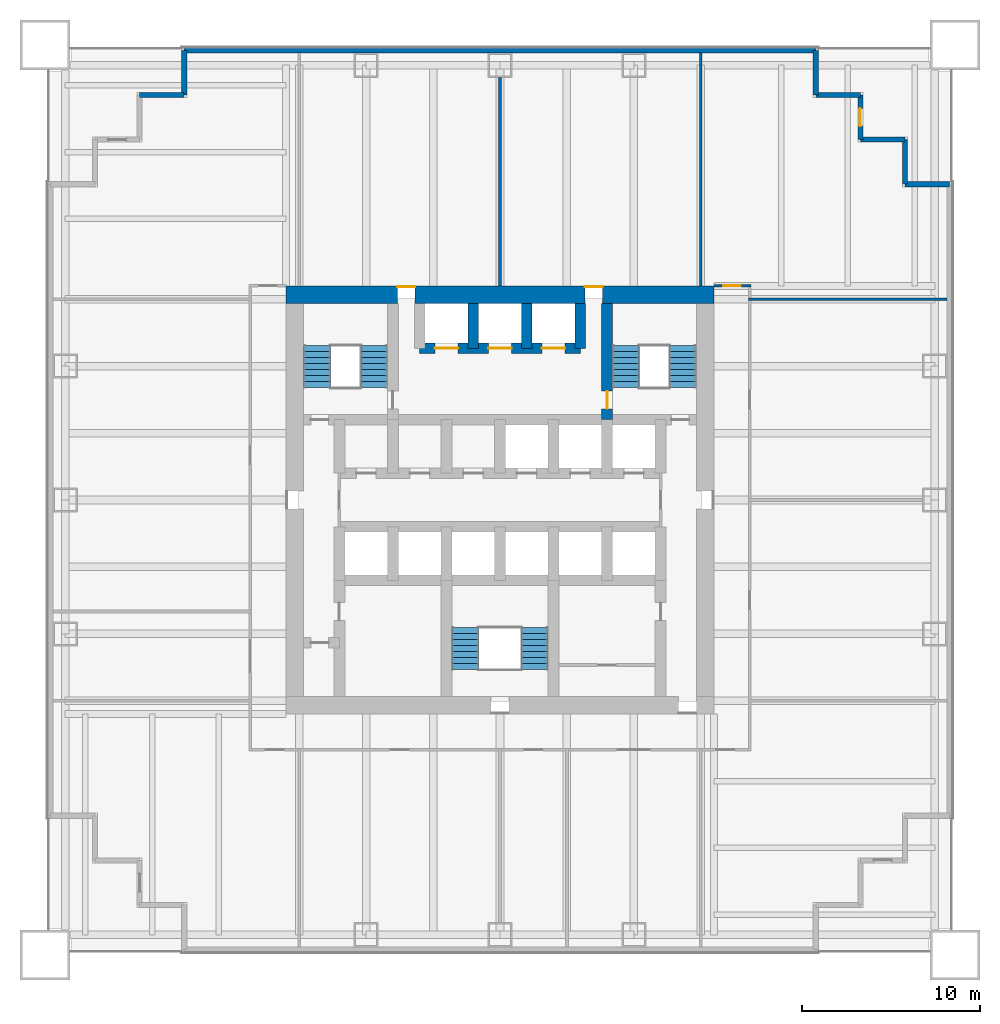
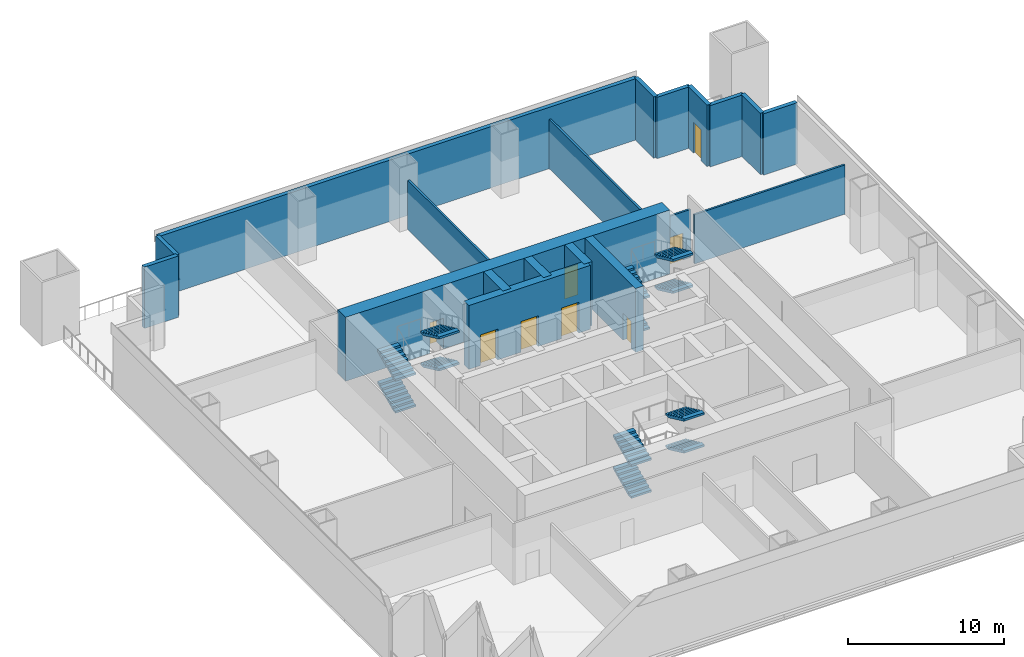
# One storey, part 4 of 6: 19 walls, 12 stair flights, 8 doors, 8 openings, 3 elements without a shape of their own.
"""IFC4 building model written with IfcOpenShell, lengths in metres."""

from ifc_helpers import new_model, si_unit, direction, frame, frame_2d, origin, place, context, subcontext, project, spatial, polyline, rectangle, outline, extrude, material, layer, layer_set, type_object, element, fill, aggregate, save


model = new_model("IFC4")

# Units and contexts
model_context = context("Model", 3, precision=1e-05, world=origin(), true_north=direction((0.0, 1.0)))
body_context = subcontext(model_context, "Body", "Model", "MODEL_VIEW")
ifc_project = project(units=[si_unit("LENGTHUNIT", "METRE"), si_unit("AREAUNIT", "SQUARE_METRE"), si_unit("VOLUMEUNIT", "CUBIC_METRE"), si_unit("PLANEANGLEUNIT", "RADIAN"), si_unit("MASSUNIT", "GRAM", prefix="KILO")], contexts=[model_context])

# Site, building, storey
site_placement = place(None, origin())
site = spatial("IfcSite", under=ifc_project, at=site_placement, CompositionType="ELEMENT")
building_placement = place(site_placement, origin())
building = spatial("IfcBuilding", under=site, at=building_placement, Name="Tarangal Relay Tower", CompositionType="ELEMENT")
storey_placement = place(building_placement, frame((0.0, 0.0, 63.39990234375)))
storey = spatial("IfcBuildingStorey", under=building, at=storey_placement, Name="L12", CompositionType="ELEMENT", Elevation=63.39990234375)

# Wall, openings, doors
ifc_material_1 = material(Name="Concrete fc' 60 MPa", Category="concrete")
ifc_layer_1 = layer(ifc_material_1, 0.60009765625)
ifc_layer_set_1 = layer_set([ifc_layer_1], Name="Core inner wall 600")
wall_type_1 = type_object("IfcWallType", Name="Core inner wall 600", PredefinedType="SHEAR", material=ifc_layer_set_1)
wall_1_placement = place(storey_placement, frame((-4.5, 8.5, 0.0), z_axis=(0.0, 0.0, 1.0), x_axis=(1.0, 0.0, 0.0)))
wall_1 = element("IfcWall", 1, at=wall_1_placement, inside=storey, type_object=wall_type_1, Name="Core wall Y85 L12", PredefinedType="SHEAR", context=body_context, shape_type="SweptSolid", body=[
    extrude(rectangle(XDim=9.0, YDim=0.60009765625, at=frame_2d((4.5, 0.0))), origin(), (0.0, 0.0, 1.0), 5.0),
])
opening_1_placement = place(wall_1_placement, frame((0.85009765625, 0.0, 0.0)))
opening_1 = element("IfcOpeningElement", 2, at=opening_1_placement, cuts=wall_1, Name="Opening LD2", PredefinedType="OPENING", context=body_context, shape_type="SweptSolid", body=[
    extrude(rectangle(XDim=1.300048828125, YDim=2.39990234375, at=frame_2d((0.64990234375, 1.199951171875))), frame((0.0, 0.31005859375, 0.0), z_axis=(0.0, -1.0, 0.0), x_axis=(1.0, 0.0, 0.0)), (0.0, 0.0, 1.0), 0.6201171875),
])
opening_2_placement = place(wall_1_placement, frame((6.85009765625, 0.0, 0.0)))
opening_2 = element("IfcOpeningElement", 3, at=opening_2_placement, cuts=wall_1, Name="Opening LD2", PredefinedType="OPENING", context=body_context, shape_type="SweptSolid", body=[
    extrude(rectangle(XDim=1.300048828125, YDim=2.39990234375, at=frame_2d((0.64990234375, 1.199951171875))), frame((0.0, 0.31005859375, 0.0), z_axis=(0.0, -1.0, 0.0), x_axis=(1.0, 0.0, 0.0)), (0.0, 0.0, 1.0), 0.6201171875),
])
opening_3_placement = place(wall_1_placement, frame((3.85009765625, 0.0, 0.0)))
opening_3 = element("IfcOpeningElement", 4, at=opening_3_placement, cuts=wall_1, Name="Opening LD2", PredefinedType="OPENING", context=body_context, shape_type="SweptSolid", body=[
    extrude(rectangle(XDim=1.300048828125, YDim=2.39990234375, at=frame_2d((0.64990234375, 1.199951171875))), frame((0.0, 0.31005859375, 0.0), z_axis=(0.0, -1.0, 0.0), x_axis=(1.0, 0.0, 0.0)), (0.0, 0.0, 1.0), 0.6201171875),
])
ifc_material_2 = material(Name="Steel door with hardwood frame", Category="steel")
door_type_1 = type_object("IfcDoorType", Name="Lift landing door 1300 x 2400", OperationType="SLIDING_TO_LEFT", PredefinedType="DOOR", material=ifc_material_2)
door_1_placement = place(opening_1_placement, origin())
door_1 = element("IfcDoor", 5, at=door_1_placement, inside=storey, type_object=door_type_1, Name="Lift FF1 landing door L12", OperationType="SLIDING_TO_LEFT", OverallHeight=2.39990234375, OverallWidth=1.300048828125, PredefinedType="DOOR", context=body_context, shape_type="SweptSolid", body=[
    extrude(rectangle(XDim=1.300048828125, YDim=2.39990234375, at=frame_2d((0.64990234375, 1.199951171875))), frame((0.0, 0.02490234375, 0.0), z_axis=(0.0, -1.0, 0.0), x_axis=(1.0, 0.0, 0.0)), (0.0, 0.0, 1.0), 0.050048828125),
])
fill(opening_1, door_1)
door_2_placement = place(opening_2_placement, origin())
door_2 = element("IfcDoor", 6, at=door_2_placement, inside=storey, type_object=door_type_1, Name="Lift FF2 landing door L12", OperationType="SLIDING_TO_LEFT", OverallHeight=2.39990234375, OverallWidth=1.300048828125, PredefinedType="DOOR", context=body_context, shape_type="SweptSolid", body=[
    extrude(rectangle(XDim=1.300048828125, YDim=2.39990234375, at=frame_2d((0.64990234375, 1.199951171875))), frame((0.0, 0.02490234375, 0.0), z_axis=(0.0, -1.0, 0.0), x_axis=(1.0, 0.0, 0.0)), (0.0, 0.0, 1.0), 0.050048828125),
])
fill(opening_2, door_2)
door_3_placement = place(opening_3_placement, origin())
door_3 = element("IfcDoor", 7, at=door_3_placement, inside=storey, type_object=door_type_1, Name="Lift SV1 landing door L12", OperationType="SLIDING_TO_LEFT", OverallHeight=2.39990234375, OverallWidth=1.300048828125, PredefinedType="DOOR", context=body_context, shape_type="SweptSolid", body=[
    extrude(rectangle(XDim=1.300048828125, YDim=2.39990234375, at=frame_2d((0.64990234375, 1.199951171875))), frame((0.0, 0.02490234375, 0.0), z_axis=(0.0, -1.0, 0.0), x_axis=(1.0, 0.0, 0.0)), (0.0, 0.0, 1.0), 0.050048828125),
])
fill(opening_3, door_3)

# Wall, opening, door
wall_2_placement = place(storey_placement, frame((6.0, 4.5, 0.0), z_axis=(0.0, 0.0, 1.0), x_axis=(0.0, 1.0, 0.0)))
wall_2 = element("IfcWall", 8, at=wall_2_placement, inside=storey, type_object=wall_type_1, Name="Core wall X6 L12", PredefinedType="SHEAR", context=body_context, shape_type="SweptSolid", body=[
    extrude(rectangle(XDim=6.5, YDim=0.60009765625, at=frame_2d((3.25, 0.0))), origin(), (0.0, 0.0, 1.0), 5.0),
])
opening_4_placement = place(wall_2_placement, frame((0.60009765625, 0.0, 0.0)))
opening_4 = element("IfcOpeningElement", 9, at=opening_4_placement, cuts=wall_2, Name="Opening FD1", PredefinedType="OPENING", context=body_context, shape_type="SweptSolid", body=[
    extrude(rectangle(XDim=1.0, YDim=2.10009765625, at=frame_2d((0.5, 1.050048828125))), frame((0.0, 0.31005859375, 0.0), z_axis=(0.0, -1.0, 0.0), x_axis=(1.0, 0.0, 0.0)), (0.0, 0.0, 1.0), 0.6201171875),
])
door_type_2 = type_object("IfcDoorType", Name="Fire door 1000 x 2100", OperationType="SINGLE_SWING_LEFT", PredefinedType="DOOR", material=ifc_material_2)
door_4_placement = place(opening_4_placement, origin())
door_4 = element("IfcDoor", 10, at=door_4_placement, inside=storey, type_object=door_type_2, Name="Stair ST-B door from fire-fighting lobby L12", OperationType="SINGLE_SWING_LEFT", OverallHeight=2.10009765625, OverallWidth=1.0, PredefinedType="DOOR", context=body_context, shape_type="SweptSolid", body=[
    extrude(rectangle(XDim=1.0, YDim=2.10009765625, at=frame_2d((0.5, 1.050048828125))), frame((0.0, 0.02490234375, 0.0), z_axis=(0.0, -1.0, 0.0), x_axis=(1.0, 0.0, 0.0)), (0.0, 0.0, 1.0), 0.050048828125),
])
fill(opening_4, door_4)

# Walls
for number, where, z_axis, x_axis, name in (
    (11, (4.5, 8.5, 0.0), (0.0, 0.0, 1.0), (0.0, 1.0, 0.0), "Core wall X45 L12"),
    (12, (-1.5, 8.5, 0.0), (0.0, 0.0, 1.0), (0.0, 1.0, 0.0), "Core wall XM15 L12"),
    (13, (1.5, 8.5, 0.0), (0.0, 0.0, 1.0), (0.0, 1.0, 0.0), "Core wall X15 L12"),
):
    element("IfcWall", number, at=place(storey_placement, frame(where, z_axis=z_axis, x_axis=x_axis)), inside=storey, type_object=wall_type_1, Name=name, PredefinedType="SHEAR", context=body_context, shape_type="SweptSolid", body=[
        extrude(rectangle(XDim=2.5, YDim=0.60009765625, at=frame_2d((1.25, 0.0))), origin(), (0.0, 0.0, 1.0), 5.0),
    ])

# Wall, openings, doors
ifc_layer_2 = layer(ifc_material_1, 1.0)
ifc_layer_set_2 = layer_set([ifc_layer_2], Name="Core wall 1000")
wall_type_2 = type_object("IfcWallType", Name="Core wall 1000", PredefinedType="SHEAR", material=ifc_layer_set_2)
wall_3_placement = place(storey_placement, frame((-12.0, 11.5, 0.0), z_axis=(0.0, 0.0, 1.0), x_axis=(1.0, 0.0, 0.0)))
wall_3 = element("IfcWall", 14, at=wall_3_placement, inside=storey, type_object=wall_type_2, Name="Core wall N L12", PredefinedType="SHEAR", context=body_context, shape_type="SweptSolid", body=[
    extrude(rectangle(XDim=24.0, YDim=1.0, at=frame_2d((12.0, 0.0))), origin(), (0.0, 0.0, 1.0), 5.0),
])
opening_5_placement = place(wall_3_placement, frame((6.25, 0.0, 0.0)))
opening_5 = element("IfcOpeningElement", 15, at=opening_5_placement, cuts=wall_3, Name="Opening FD3", PredefinedType="OPENING", context=body_context, shape_type="SweptSolid", body=[
    extrude(rectangle(XDim=1.0, YDim=2.39990234375, at=frame_2d((0.5, 1.199951171875))), frame((0.0, 0.510009765625, 0.0), z_axis=(0.0, -1.0, 0.0), x_axis=(1.0, 0.0, 0.0)), (0.0, 0.0, 1.0), 1.02001953125),
])
opening_6_placement = place(wall_3_placement, frame((16.75, 0.0, 0.0)))
opening_6 = element("IfcOpeningElement", 16, at=opening_6_placement, cuts=wall_3, Name="Opening FD3", PredefinedType="OPENING", context=body_context, shape_type="SweptSolid", body=[
    extrude(rectangle(XDim=1.0, YDim=2.39990234375, at=frame_2d((0.5, 1.199951171875))), frame((0.0, 0.510009765625, 0.0), z_axis=(0.0, -1.0, 0.0), x_axis=(1.0, 0.0, 0.0)), (0.0, 0.0, 1.0), 1.02001953125),
])
door_type_3 = type_object("IfcDoorType", Name="Fire door 1000 x 2400 core entry", OperationType="SINGLE_SWING_RIGHT", PredefinedType="DOOR", material=ifc_material_2)
door_5_placement = place(opening_5_placement, origin())
door_5 = element("IfcDoor", 17, at=door_5_placement, inside=storey, type_object=door_type_3, Name="Core entry door north west L12", OperationType="SINGLE_SWING_RIGHT", OverallHeight=2.39990234375, OverallWidth=1.0, PredefinedType="DOOR", context=body_context, shape_type="SweptSolid", body=[
    extrude(rectangle(XDim=1.0, YDim=2.39990234375, at=frame_2d((0.5, 1.199951171875))), frame((0.0, 0.48486328125, 0.0), z_axis=(0.0, -1.0, 0.0), x_axis=(1.0, 0.0, 0.0)), (0.0, 0.0, 1.0), 0.050048828125),
])
fill(opening_5, door_5)
door_6_placement = place(opening_6_placement, origin())
door_6 = element("IfcDoor", 18, at=door_6_placement, inside=storey, type_object=door_type_3, Name="Core entry door north east L12", OperationType="SINGLE_SWING_RIGHT", OverallHeight=2.39990234375, OverallWidth=1.0, PredefinedType="DOOR", context=body_context, shape_type="SweptSolid", body=[
    extrude(rectangle(XDim=1.0, YDim=2.39990234375, at=frame_2d((0.5, 1.199951171875))), frame((0.0, 0.48486328125, 0.0), z_axis=(0.0, -1.0, 0.0), x_axis=(1.0, 0.0, 0.0)), (0.0, 0.0, 1.0), 0.050048828125),
])
fill(opening_6, door_6)

# Walls
ifc_material_3 = material(Name="Insulated precast concrete fc' 40 MPa", Category="concrete")
ifc_layer_3 = layer(ifc_material_3, 0.300048828125)
ifc_layer_set_3 = layer_set([ifc_layer_3], Name="Insulated precast concrete fc' 40 MPa")
wall_type_3 = type_object("IfcWallType", Name="Facade wall precast 300", PredefinedType="SOLIDWALL", material=ifc_layer_set_3)
wall_4_placement = place(storey_placement, frame((-17.699951171875, 25.199951171875, 0.0), z_axis=(0.0, 0.0, 1.0), x_axis=(1.0, 0.0, 0.0)))
element("IfcWall", 19, at=wall_4_placement, inside=storey, type_object=wall_type_3, Name="Facade wall N facade L12", PredefinedType="SOLIDWALL", context=body_context, shape_type="SweptSolid", body=[
    extrude(rectangle(XDim=35.39990234375, YDim=0.300048828125, at=frame_2d((17.699951171875, 0.0))), origin(), (0.0, 0.0, 1.0), 4.800048828125),
])
for number, where, z_axis, x_axis, name in (
    (20, (17.699951171875, 25.199951171875, 0.0), (0.0, 0.0, 1.0), (0.0, -1.0, 0.0), "Facade wall N facade L12"),
    (21, (17.699951171875, 22.699951171875, 0.0), (0.0, 0.0, 1.0), (1.0, 0.0, 0.0), "Facade wall N facade L12"),
):
    element("IfcWall", number, at=place(storey_placement, frame(where, z_axis=z_axis, x_axis=x_axis)), inside=storey, type_object=wall_type_3, Name=name, PredefinedType="SOLIDWALL", context=body_context, shape_type="SweptSolid", body=[
        extrude(rectangle(XDim=2.5, YDim=0.300048828125, at=frame_2d((1.25, 0.0))), origin(), (0.0, 0.0, 1.0), 4.800048828125),
    ])

# Wall, opening, door
wall_5_placement = place(storey_placement, frame((20.199951171875, 22.699951171875, 0.0), z_axis=(0.0, 0.0, 1.0), x_axis=(0.0, -1.0, 0.0)))
wall_5 = element("IfcWall", 22, at=wall_5_placement, inside=storey, type_object=wall_type_3, Name="Facade wall N facade L12", PredefinedType="SOLIDWALL", context=body_context, shape_type="SweptSolid", body=[
    extrude(rectangle(XDim=2.5, YDim=0.300048828125, at=frame_2d((1.25, 0.0))), origin(), (0.0, 0.0, 1.0), 4.800048828125),
])
opening_7_placement = place(wall_5_placement, frame((0.75, 0.0, 0.0)))
opening_7 = element("IfcOpeningElement", 23, at=opening_7_placement, cuts=wall_5, Name="Opening TD1", PredefinedType="OPENING", context=body_context, shape_type="SweptSolid", body=[
    extrude(rectangle(XDim=1.0, YDim=2.39990234375, at=frame_2d((0.5, 1.199951171875))), frame((0.0, 0.159912109375, 0.0), z_axis=(0.0, -1.0, 0.0), x_axis=(1.0, 0.0, 0.0)), (0.0, 0.0, 1.0), 0.320068359375),
])
ifc_material_4 = material(Name="Aluminium glazed door", Category="aluminium")
door_type_4 = type_object("IfcDoorType", Name="Terrace door 1000 x 2400", OperationType="SINGLE_SWING_RIGHT", PredefinedType="DOOR", material=ifc_material_4)
door_7_placement = place(opening_7_placement, origin())
door_7 = element("IfcDoor", 24, at=door_7_placement, inside=storey, type_object=door_type_4, Name="Terrace door TD1 NE L12", OperationType="SINGLE_SWING_RIGHT", OverallHeight=2.39990234375, OverallWidth=1.0, PredefinedType="DOOR", context=body_context, shape_type="SweptSolid", body=[
    extrude(rectangle(XDim=1.0, YDim=2.39990234375, at=frame_2d((0.5, 1.199951171875))), frame((0.0, 0.02490234375, 0.0), z_axis=(0.0, -1.0, 0.0), x_axis=(1.0, 0.0, 0.0)), (0.0, 0.0, 1.0), 0.050048828125),
])
fill(opening_7, door_7)

# Walls
for number, where, z_axis, x_axis, name in (
    (25, (20.199951171875, 20.199951171875, 0.0), (0.0, 0.0, 1.0), (1.0, 0.0, 0.0), "Facade wall N facade L12"),
    (26, (22.699951171875, 20.199951171875, 0.0), (0.0, 0.0, 1.0), (0.0, -1.0, 0.0), "Facade wall N facade L12"),
    (27, (22.699951171875, 17.699951171875, 0.0), (0.0, 0.0, 1.0), (1.0, 0.0, 0.0), "Facade wall N facade L12"),
    (28, (-20.199951171875, 22.699951171875, 0.0), (0.0, 0.0, 1.0), (1.0, 0.0, 0.0), "Facade wall W facade L12"),
    (29, (-17.699951171875, 22.699951171875, 0.0), (0.0, 0.0, 1.0), (0.0, 1.0, 0.0), "Facade wall W facade L12"),
):
    element("IfcWall", number, at=place(storey_placement, frame(where, z_axis=z_axis, x_axis=x_axis)), inside=storey, type_object=wall_type_3, Name=name, PredefinedType="SOLIDWALL", context=body_context, shape_type="SweptSolid", body=[
        extrude(rectangle(XDim=2.5, YDim=0.300048828125, at=frame_2d((1.25, 0.0))), origin(), (0.0, 0.0, 1.0), 4.800048828125),
    ])
ifc_material_5 = material(Name="Gypsum board on steel studs", Category="steel")
ifc_layer_4 = layer(ifc_material_5, 0.14990234375)
ifc_layer_set_4 = layer_set([ifc_layer_4], Name="Partition 150")
wall_type_4 = type_object("IfcWallType", Name="Partition 150", PredefinedType="PARTITIONING", material=ifc_layer_set_4)
wall_6_placement = place(storey_placement, frame((13.925048828125, 11.25, 0.0), z_axis=(0.0, 0.0, 1.0), x_axis=(1.0, 0.0, 0.0)))
element("IfcWall", 30, at=wall_6_placement, inside=storey, type_object=wall_type_4, Name="Partition PT1 L12", PredefinedType="PARTITIONING", context=body_context, shape_type="SweptSolid", body=[
    extrude(rectangle(XDim=11.125, YDim=0.14990234375, at=frame_2d((5.5625, 0.0))), origin(), (0.0, 0.0, 1.0), 3.852783203125),
])

# Wall, opening, door
wall_7_placement = place(storey_placement, frame((12.0, 12.0, 0.0), z_axis=(0.0, 0.0, 1.0), x_axis=(1.0, 0.0, 0.0)))
wall_7 = element("IfcWall", 31, at=wall_7_placement, inside=storey, type_object=wall_type_4, Name="Partition PT1 L12", PredefinedType="PARTITIONING", context=body_context, shape_type="SweptSolid", body=[
    extrude(rectangle(XDim=2.074951171875, YDim=0.14990234375, at=frame_2d((1.03759765625, 0.0))), origin(), (0.0, 0.0, 1.0), 3.763671875),
])
opening_8_placement = place(wall_7_placement, frame((0.5, 0.0, 0.0)))
opening_8 = element("IfcOpeningElement", 32, at=opening_8_placement, cuts=wall_7, Name="Opening D2", PredefinedType="OPENING", context=body_context, shape_type="SweptSolid", body=[
    extrude(rectangle(XDim=1.0, YDim=2.10009765625, at=frame_2d((0.5, 1.050048828125))), frame((0.0, 0.0849609375, 0.0), z_axis=(0.0, -1.0, 0.0), x_axis=(1.0, 0.0, 0.0)), (0.0, 0.0, 1.0), 0.169921875),
])
ifc_material_6 = material(Name="Hardwood door", Category="wood")
door_type_5 = type_object("IfcDoorType", Name="Door 1000 x 2100", OperationType="SINGLE_SWING_LEFT", PredefinedType="DOOR", material=ifc_material_6)
door_8_placement = place(opening_8_placement, origin())
door_8 = element("IfcDoor", 33, at=door_8_placement, inside=storey, type_object=door_type_5, Name="Door D2 to customer office L12-11", OperationType="SINGLE_SWING_LEFT", OverallHeight=2.10009765625, OverallWidth=1.0, PredefinedType="DOOR", context=body_context, shape_type="SweptSolid", body=[
    extrude(rectangle(XDim=1.0, YDim=2.10009765625, at=frame_2d((0.5, 1.050048828125))), frame((0.0, 0.02490234375, 0.0), z_axis=(0.0, -1.0, 0.0), x_axis=(1.0, 0.0, 0.0)), (0.0, 0.0, 1.0), 0.050048828125),
])
fill(opening_8, door_8)

# Walls
wall_8_placement = place(storey_placement, frame((0.0, 12.0, 0.0), z_axis=(0.0, 0.0, 1.0), x_axis=(0.0, 1.0, 0.0)))
element("IfcWall", 34, at=wall_8_placement, inside=storey, type_object=wall_type_4, Name="Partition PT1 L12", PredefinedType="PARTITIONING", context=body_context, shape_type="SweptSolid", body=[
    extrude(rectangle(XDim=11.68994140625, YDim=0.14990234375, at=frame_2d((5.844970703125, 0.0))), origin(), (0.0, 0.0, 1.0), 3.852783203125),
])
wall_9_placement = place(storey_placement, frame((11.25, 12.0, 0.0), z_axis=(0.0, 0.0, 1.0), x_axis=(0.0, 1.0, 0.0)))
element("IfcWall", 35, at=wall_9_placement, inside=storey, type_object=wall_type_4, Name="Partition PT1 L12", PredefinedType="PARTITIONING", context=body_context, shape_type="SweptSolid", body=[
    extrude(rectangle(XDim=13.050048828125, YDim=0.14990234375, at=frame_2d((6.52490234375, 0.0))), origin(), (0.0, 0.0, 1.0), 3.852783203125),
])

# Stair, stair flights
ifc_material_7 = material(Name="Steel ASTM A992 stair flight", Category="steel")
stair_type = type_object("IfcStairType", Name="Core stair 1500", PredefinedType="HALF_TURN_STAIR", material=ifc_material_7)
stair_1_placement = place(storey_placement, origin())
stair_1 = element("IfcStair", 36, at=stair_1_placement, inside=storey, type_object=stair_type, Name="Stair ST-A L12", PredefinedType="HALF_TURN_STAIR")
stair_flight_type = type_object("IfcStairFlightType", Name="Steel stair flight 1500, 8 risers 156 x 335", PredefinedType="STRAIGHT", material=ifc_material_7)
stair_flight_1_placement = place(storey_placement, frame((-10.25, 6.300048828125, 0.0), z_axis=(0.0, 0.0, 1.0), x_axis=(0.0, 1.0, 0.0)))
stair_flight_1 = element("IfcStairFlight", 37, at=stair_flight_1_placement, type_object=stair_flight_type, Name="ST-A flight 1", NumberOfRisers=8, NumberOfTreads=7, PredefinedType="STRAIGHT", RiserHeight=0.15625, TreadLength=0.335, context=body_context, shape_type="SweptSolid", body=[
    extrude(outline(polyline([(0.0, 0.0), (0.0, 0.15625), (0.3349609375, 0.15625), (0.3349609375, 0.3125), (0.669921875, 0.3125), (0.669921875, 0.46875), (1.0048828125, 0.46875), (1.0048828125, 0.625), (1.340087890625, 0.625), (1.340087890625, 0.78125), (1.675048828125, 0.78125), (1.675048828125, 0.9375), (2.010009765625, 0.9375), (2.010009765625, 1.09375), (2.344970703125, 1.09375), (2.344970703125, 1.25), (2.344970703125, 0.92822265625), (0.354736328125, 0.0), (0.0, 0.0)])), frame((0.0, 0.75, 0.0), z_axis=(0.0, -1.0, 0.0), x_axis=(1.0, 0.0, 0.0)), (0.0, 0.0, 1.0), 1.5),
])
stair_flight_2_placement = place(storey_placement, frame((-7.050048828125, 8.64501953125, 1.25), z_axis=(0.0, 0.0, 1.0), x_axis=(0.0, -1.0, 0.0)))
stair_flight_2 = element("IfcStairFlight", 38, at=stair_flight_2_placement, type_object=stair_flight_type, Name="ST-A flight 2", NumberOfRisers=8, NumberOfTreads=7, PredefinedType="STRAIGHT", RiserHeight=0.15625, TreadLength=0.335, context=body_context, shape_type="SweptSolid", body=[
    extrude(outline(polyline([(0.0, 0.0), (0.0, 0.15625), (0.3349609375, 0.15625), (0.3349609375, 0.3125), (0.669921875, 0.3125), (0.669921875, 0.46875), (1.0048828125, 0.46875), (1.0048828125, 0.625), (1.340087890625, 0.625), (1.340087890625, 0.78125), (1.675048828125, 0.78125), (1.675048828125, 0.9375), (2.010009765625, 0.9375), (2.010009765625, 1.09375), (2.344970703125, 1.09375), (2.344970703125, 1.25), (2.344970703125, 0.92822265625), (0.354736328125, 0.0), (0.0, 0.0)])), frame((0.0, 0.75, 0.0), z_axis=(0.0, -1.0, 0.0), x_axis=(1.0, 0.0, 0.0)), (0.0, 0.0, 1.0), 1.5),
])
stair_flight_3_placement = place(storey_placement, frame((-10.25, 6.300048828125, 2.5), z_axis=(0.0, 0.0, 1.0), x_axis=(0.0, 1.0, 0.0)))
stair_flight_3 = element("IfcStairFlight", 39, at=stair_flight_3_placement, type_object=stair_flight_type, Name="ST-A flight 3", NumberOfRisers=8, NumberOfTreads=7, PredefinedType="STRAIGHT", RiserHeight=0.15625, TreadLength=0.335, context=body_context, shape_type="SweptSolid", body=[
    extrude(outline(polyline([(0.0, 0.0), (0.0, 0.15625), (0.3349609375, 0.15625), (0.3349609375, 0.3125), (0.669921875, 0.3125), (0.669921875, 0.46875), (1.0048828125, 0.46875), (1.0048828125, 0.625), (1.340087890625, 0.625), (1.340087890625, 0.78125), (1.675048828125, 0.78125), (1.675048828125, 0.9375), (2.010009765625, 0.9375), (2.010009765625, 1.09375), (2.344970703125, 1.09375), (2.344970703125, 1.25), (2.344970703125, 0.92822265625), (0.354736328125, 0.0), (0.0, 0.0)])), frame((0.0, 0.75, 0.0), z_axis=(0.0, -1.0, 0.0), x_axis=(1.0, 0.0, 0.0)), (0.0, 0.0, 1.0), 1.5),
])
stair_flight_4_placement = place(storey_placement, frame((-7.050048828125, 8.64501953125, 3.75), z_axis=(0.0, 0.0, 1.0), x_axis=(0.0, -1.0, 0.0)))
stair_flight_4 = element("IfcStairFlight", 40, at=stair_flight_4_placement, type_object=stair_flight_type, Name="ST-A flight 4", NumberOfRisers=8, NumberOfTreads=7, PredefinedType="STRAIGHT", RiserHeight=0.15625, TreadLength=0.335, context=body_context, shape_type="SweptSolid", body=[
    extrude(outline(polyline([(0.0, 0.0), (0.0, 0.15625), (0.3349609375, 0.15625), (0.3349609375, 0.3125), (0.669921875, 0.3125), (0.669921875, 0.46875), (1.0048828125, 0.46875), (1.0048828125, 0.625), (1.340087890625, 0.625), (1.340087890625, 0.78125), (1.675048828125, 0.78125), (1.675048828125, 0.9375), (2.010009765625, 0.9375), (2.010009765625, 1.09375), (2.344970703125, 1.09375), (2.344970703125, 1.25), (2.344970703125, 0.92822265625), (0.354736328125, 0.0), (0.0, 0.0)])), frame((0.0, 0.75, 0.0), z_axis=(0.0, -1.0, 0.0), x_axis=(1.0, 0.0, 0.0)), (0.0, 0.0, 1.0), 1.5),
])
aggregate(stair_1, [stair_flight_1, stair_flight_2, stair_flight_3, stair_flight_4])

stair_2_placement = place(storey_placement, origin())
stair_2 = element("IfcStair", 41, at=stair_2_placement, inside=storey, type_object=stair_type, Name="Stair ST-B L12", PredefinedType="HALF_TURN_STAIR")
stair_flight_5_placement = place(storey_placement, frame((7.050048828125, 6.300048828125, 0.0), z_axis=(0.0, 0.0, 1.0), x_axis=(0.0, 1.0, 0.0)))
stair_flight_5 = element("IfcStairFlight", 42, at=stair_flight_5_placement, type_object=stair_flight_type, Name="ST-B flight 1", NumberOfRisers=8, NumberOfTreads=7, PredefinedType="STRAIGHT", RiserHeight=0.15625, TreadLength=0.335, context=body_context, shape_type="SweptSolid", body=[
    extrude(outline(polyline([(0.0, 0.0), (0.0, 0.15625), (0.3349609375, 0.15625), (0.3349609375, 0.3125), (0.669921875, 0.3125), (0.669921875, 0.46875), (1.0048828125, 0.46875), (1.0048828125, 0.625), (1.340087890625, 0.625), (1.340087890625, 0.78125), (1.675048828125, 0.78125), (1.675048828125, 0.9375), (2.010009765625, 0.9375), (2.010009765625, 1.09375), (2.344970703125, 1.09375), (2.344970703125, 1.25), (2.344970703125, 0.92822265625), (0.354736328125, 0.0), (0.0, 0.0)])), frame((0.0, 0.75, 0.0), z_axis=(0.0, -1.0, 0.0), x_axis=(1.0, 0.0, 0.0)), (0.0, 0.0, 1.0), 1.5),
])
stair_flight_6_placement = place(storey_placement, frame((10.25, 8.64501953125, 1.25), z_axis=(0.0, 0.0, 1.0), x_axis=(0.0, -1.0, 0.0)))
stair_flight_6 = element("IfcStairFlight", 43, at=stair_flight_6_placement, type_object=stair_flight_type, Name="ST-B flight 2", NumberOfRisers=8, NumberOfTreads=7, PredefinedType="STRAIGHT", RiserHeight=0.15625, TreadLength=0.335, context=body_context, shape_type="SweptSolid", body=[
    extrude(outline(polyline([(0.0, 0.0), (0.0, 0.15625), (0.3349609375, 0.15625), (0.3349609375, 0.3125), (0.669921875, 0.3125), (0.669921875, 0.46875), (1.0048828125, 0.46875), (1.0048828125, 0.625), (1.340087890625, 0.625), (1.340087890625, 0.78125), (1.675048828125, 0.78125), (1.675048828125, 0.9375), (2.010009765625, 0.9375), (2.010009765625, 1.09375), (2.344970703125, 1.09375), (2.344970703125, 1.25), (2.344970703125, 0.92822265625), (0.354736328125, 0.0), (0.0, 0.0)])), frame((0.0, 0.75, 0.0), z_axis=(0.0, -1.0, 0.0), x_axis=(1.0, 0.0, 0.0)), (0.0, 0.0, 1.0), 1.5),
])
stair_flight_7_placement = place(storey_placement, frame((7.050048828125, 6.300048828125, 2.5), z_axis=(0.0, 0.0, 1.0), x_axis=(0.0, 1.0, 0.0)))
stair_flight_7 = element("IfcStairFlight", 44, at=stair_flight_7_placement, type_object=stair_flight_type, Name="ST-B flight 3", NumberOfRisers=8, NumberOfTreads=7, PredefinedType="STRAIGHT", RiserHeight=0.15625, TreadLength=0.335, context=body_context, shape_type="SweptSolid", body=[
    extrude(outline(polyline([(0.0, 0.0), (0.0, 0.15625), (0.3349609375, 0.15625), (0.3349609375, 0.3125), (0.669921875, 0.3125), (0.669921875, 0.46875), (1.0048828125, 0.46875), (1.0048828125, 0.625), (1.340087890625, 0.625), (1.340087890625, 0.78125), (1.675048828125, 0.78125), (1.675048828125, 0.9375), (2.010009765625, 0.9375), (2.010009765625, 1.09375), (2.344970703125, 1.09375), (2.344970703125, 1.25), (2.344970703125, 0.92822265625), (0.354736328125, 0.0), (0.0, 0.0)])), frame((0.0, 0.75, 0.0), z_axis=(0.0, -1.0, 0.0), x_axis=(1.0, 0.0, 0.0)), (0.0, 0.0, 1.0), 1.5),
])
stair_flight_8_placement = place(storey_placement, frame((10.25, 8.64501953125, 3.75), z_axis=(0.0, 0.0, 1.0), x_axis=(0.0, -1.0, 0.0)))
stair_flight_8 = element("IfcStairFlight", 45, at=stair_flight_8_placement, type_object=stair_flight_type, Name="ST-B flight 4", NumberOfRisers=8, NumberOfTreads=7, PredefinedType="STRAIGHT", RiserHeight=0.15625, TreadLength=0.335, context=body_context, shape_type="SweptSolid", body=[
    extrude(outline(polyline([(0.0, 0.0), (0.0, 0.15625), (0.3349609375, 0.15625), (0.3349609375, 0.3125), (0.669921875, 0.3125), (0.669921875, 0.46875), (1.0048828125, 0.46875), (1.0048828125, 0.625), (1.340087890625, 0.625), (1.340087890625, 0.78125), (1.675048828125, 0.78125), (1.675048828125, 0.9375), (2.010009765625, 0.9375), (2.010009765625, 1.09375), (2.344970703125, 1.09375), (2.344970703125, 1.25), (2.344970703125, 0.92822265625), (0.354736328125, 0.0), (0.0, 0.0)])), frame((0.0, 0.75, 0.0), z_axis=(0.0, -1.0, 0.0), x_axis=(1.0, 0.0, 0.0)), (0.0, 0.0, 1.0), 1.5),
])
aggregate(stair_2, [stair_flight_5, stair_flight_6, stair_flight_7, stair_flight_8])

stair_3_placement = place(storey_placement, origin())
stair_3 = element("IfcStair", 46, at=stair_3_placement, inside=storey, type_object=stair_type, Name="Stair ST-C L12", PredefinedType="HALF_TURN_STAIR")
stair_flight_9_placement = place(storey_placement, frame((-1.949951171875, -9.5, 0.0), z_axis=(0.0, 0.0, 1.0), x_axis=(0.0, 1.0, 0.0)))
stair_flight_9 = element("IfcStairFlight", 47, at=stair_flight_9_placement, type_object=stair_flight_type, Name="ST-C flight 1", NumberOfRisers=8, NumberOfTreads=7, PredefinedType="STRAIGHT", RiserHeight=0.15625, TreadLength=0.335, context=body_context, shape_type="SweptSolid", body=[
    extrude(outline(polyline([(0.0, 0.0), (0.0, 0.15625), (0.3349609375, 0.15625), (0.3349609375, 0.3125), (0.669921875, 0.3125), (0.669921875, 0.46875), (1.0048828125, 0.46875), (1.0048828125, 0.625), (1.340087890625, 0.625), (1.340087890625, 0.78125), (1.675048828125, 0.78125), (1.675048828125, 0.9375), (2.010009765625, 0.9375), (2.010009765625, 1.09375), (2.344970703125, 1.09375), (2.344970703125, 1.25), (2.344970703125, 0.92822265625), (0.354736328125, 0.0), (0.0, 0.0)])), frame((0.0, 0.75, 0.0), z_axis=(0.0, -1.0, 0.0), x_axis=(1.0, 0.0, 0.0)), (0.0, 0.0, 1.0), 1.5),
])
stair_flight_10_placement = place(storey_placement, frame((1.949951171875, -7.155029296875, 1.25), z_axis=(0.0, 0.0, 1.0), x_axis=(0.0, -1.0, 0.0)))
stair_flight_10 = element("IfcStairFlight", 48, at=stair_flight_10_placement, type_object=stair_flight_type, Name="ST-C flight 2", NumberOfRisers=8, NumberOfTreads=7, PredefinedType="STRAIGHT", RiserHeight=0.15625, TreadLength=0.335, context=body_context, shape_type="SweptSolid", body=[
    extrude(outline(polyline([(0.0, 0.0), (0.0, 0.15625), (0.3349609375, 0.15625), (0.3349609375, 0.3125), (0.669921875, 0.3125), (0.669921875, 0.46875), (1.0048828125, 0.46875), (1.0048828125, 0.625), (1.340087890625, 0.625), (1.340087890625, 0.78125), (1.675048828125, 0.78125), (1.675048828125, 0.9375), (2.010009765625, 0.9375), (2.010009765625, 1.09375), (2.344970703125, 1.09375), (2.344970703125, 1.25), (2.344970703125, 0.92822265625), (0.354736328125, 0.0), (0.0, 0.0)])), frame((0.0, 0.75, 0.0), z_axis=(0.0, -1.0, 0.0), x_axis=(1.0, 0.0, 0.0)), (0.0, 0.0, 1.0), 1.5),
])
stair_flight_11_placement = place(storey_placement, frame((-1.949951171875, -9.5, 2.5), z_axis=(0.0, 0.0, 1.0), x_axis=(0.0, 1.0, 0.0)))
stair_flight_11 = element("IfcStairFlight", 49, at=stair_flight_11_placement, type_object=stair_flight_type, Name="ST-C flight 3", NumberOfRisers=8, NumberOfTreads=7, PredefinedType="STRAIGHT", RiserHeight=0.15625, TreadLength=0.335, context=body_context, shape_type="SweptSolid", body=[
    extrude(outline(polyline([(0.0, 0.0), (0.0, 0.15625), (0.3349609375, 0.15625), (0.3349609375, 0.3125), (0.669921875, 0.3125), (0.669921875, 0.46875), (1.0048828125, 0.46875), (1.0048828125, 0.625), (1.340087890625, 0.625), (1.340087890625, 0.78125), (1.675048828125, 0.78125), (1.675048828125, 0.9375), (2.010009765625, 0.9375), (2.010009765625, 1.09375), (2.344970703125, 1.09375), (2.344970703125, 1.25), (2.344970703125, 0.92822265625), (0.354736328125, 0.0), (0.0, 0.0)])), frame((0.0, 0.75, 0.0), z_axis=(0.0, -1.0, 0.0), x_axis=(1.0, 0.0, 0.0)), (0.0, 0.0, 1.0), 1.5),
])
stair_flight_12_placement = place(storey_placement, frame((1.949951171875, -7.155029296875, 3.75), z_axis=(0.0, 0.0, 1.0), x_axis=(0.0, -1.0, 0.0)))
stair_flight_12 = element("IfcStairFlight", 50, at=stair_flight_12_placement, type_object=stair_flight_type, Name="ST-C flight 4", NumberOfRisers=8, NumberOfTreads=7, PredefinedType="STRAIGHT", RiserHeight=0.15625, TreadLength=0.335, context=body_context, shape_type="SweptSolid", body=[
    extrude(outline(polyline([(0.0, 0.0), (0.0, 0.15625), (0.3349609375, 0.15625), (0.3349609375, 0.3125), (0.669921875, 0.3125), (0.669921875, 0.46875), (1.0048828125, 0.46875), (1.0048828125, 0.625), (1.340087890625, 0.625), (1.340087890625, 0.78125), (1.675048828125, 0.78125), (1.675048828125, 0.9375), (2.010009765625, 0.9375), (2.010009765625, 1.09375), (2.344970703125, 1.09375), (2.344970703125, 1.25), (2.344970703125, 0.92822265625), (0.354736328125, 0.0), (0.0, 0.0)])), frame((0.0, 0.75, 0.0), z_axis=(0.0, -1.0, 0.0), x_axis=(1.0, 0.0, 0.0)), (0.0, 0.0, 1.0), 1.5),
])
aggregate(stair_3, [stair_flight_9, stair_flight_10, stair_flight_11, stair_flight_12])

save(model, "model.ifc")
